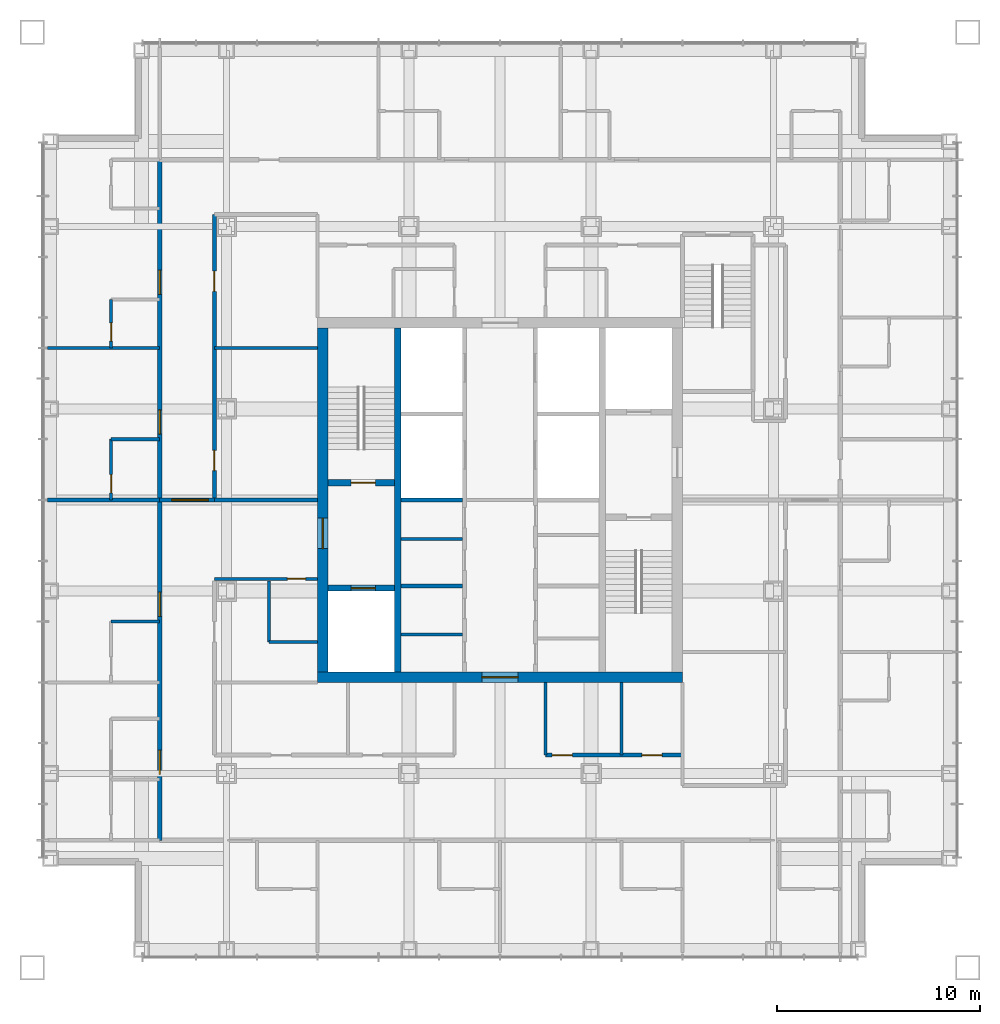
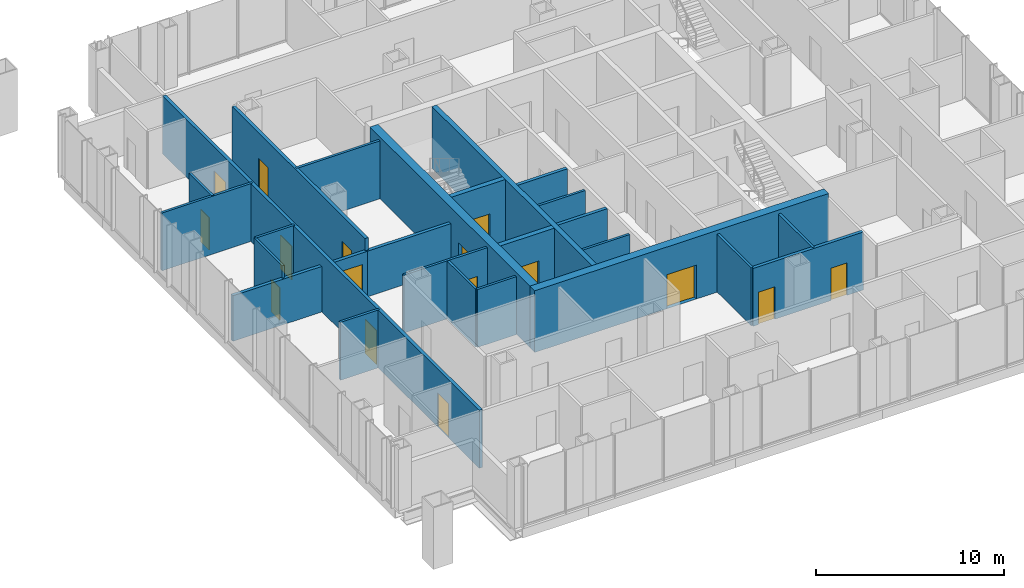
# One storey, part 7 of 11: 26 walls, 16 doors, 16 openings.
"""IFC4 building model written with IfcOpenShell, lengths in metres."""

from ifc_helpers import new_model, si_unit, direction, frame, frame_2d, origin, place, context, subcontext, project, spatial, rectangle, extrude, material, layer, layer_set, type_object, element, fill, save


model = new_model("IFC4")

# Units and contexts
model_context = context("Model", 3, precision=1e-05, world=origin(), true_north=direction((0.0, 1.0)))
body_context = subcontext(model_context, "Body", "Model", "MODEL_VIEW")
ifc_project = project(units=[si_unit("LENGTHUNIT", "METRE"), si_unit("AREAUNIT", "SQUARE_METRE"), si_unit("VOLUMEUNIT", "CUBIC_METRE"), si_unit("PLANEANGLEUNIT", "RADIAN"), si_unit("MASSUNIT", "GRAM", prefix="KILO")], contexts=[model_context])

# Site, building, storey
site_placement = place(None, origin())
site = spatial("IfcSite", under=ifc_project, at=site_placement, CompositionType="ELEMENT")
building_placement = place(site_placement, origin())
building = spatial("IfcBuilding", under=site, at=building_placement, Name="Malebo Sky Hospital", CompositionType="ELEMENT")
storey_placement = place(building_placement, frame((0.0, 0.0, 213.0)))
storey = spatial("IfcBuildingStorey", under=building, at=storey_placement, Name="L51", CompositionType="ELEMENT", Elevation=213.0)

# Walls
ifc_material_1 = material(Name="Concrete C80/95", Category="concrete")
ifc_layer_1 = layer(ifc_material_1, 0.199951171875)
ifc_layer_set_1 = layer_set([ifc_layer_1], Name="CORE INNER WALL 200")
wall_type_1 = type_object("IfcWallType", Name="CORE INNER WALL 200", PredefinedType="SHEAR", material=ifc_layer_set_1)
for number, where, z_axis, x_axis, name in (
    (1, (55.10009765625, 57.75, 0.0), (0.0, 0.0, 1.0), (1.0, 0.0, 0.0), "Core wall SW0 L51"),
    (2, (55.10009765625, 62.0, 0.0), (0.0, 0.0, 1.0), (1.0, 0.0, 0.0), "Core wall SW1 L51"),
):
    element("IfcWall", number, at=place(storey_placement, frame(where, z_axis=z_axis, x_axis=x_axis)), inside=storey, type_object=wall_type_1, Name=name, PredefinedType="SHEAR", context=body_context, shape_type="SweptSolid", body=[
        extrude(rectangle(XDim=3.0498046875, YDim=0.199951171875, at=frame_2d((1.52490234375, 0.0))), origin(), (0.0, 0.0, 1.0), 4.0),
    ])
ifc_layer_2 = layer(ifc_material_1, 0.300048828125)
ifc_layer_set_2 = layer_set([ifc_layer_2], Name="CORE INNER WALL 300")
wall_type_2 = type_object("IfcWallType", Name="CORE INNER WALL 300", PredefinedType="SHEAR", material=ifc_layer_set_2)
wall_1_placement = place(storey_placement, frame((54.949951171875, 53.5, 0.0), z_axis=(0.0, 0.0, 1.0), x_axis=(0.0, 1.0, 0.0)))
element("IfcWall", 3, at=wall_1_placement, inside=storey, type_object=wall_type_2, Name="Core wall XW L51", PredefinedType="SHEAR", context=body_context, shape_type="SweptSolid", body=[
    extrude(rectangle(XDim=17.0, YDim=0.300048828125, at=frame_2d((8.5, 0.0))), origin(), (0.0, 0.0, 1.0), 4.0),
])

# Wall, opening, door
wall_2_placement = place(storey_placement, frame((51.5, 62.85009765625, 0.0), z_axis=(0.0, 0.0, 1.0), x_axis=(1.0, 0.0, 0.0)))
wall_2 = element("IfcWall", 4, at=wall_2_placement, inside=storey, type_object=wall_type_2, Name="Core wall W1 L51", PredefinedType="SHEAR", context=body_context, shape_type="SweptSolid", body=[
    extrude(rectangle(XDim=3.300048828125, YDim=0.300048828125, at=frame_2d((1.64990234375, 0.0))), origin(), (0.0, 0.0, 1.0), 4.0),
])
opening_1_placement = place(wall_2_placement, frame((1.14990234375, 0.0, 0.0)))
opening_1 = element("IfcOpeningElement", 5, at=opening_1_placement, cuts=wall_2, Name="Opening D08", PredefinedType="OPENING", context=body_context, shape_type="SweptSolid", body=[
    extrude(rectangle(XDim=1.199951171875, YDim=2.10009765625, at=frame_2d((0.60009765625, 1.050048828125))), frame((0.0, 0.159912109375, 0.0), z_axis=(0.0, -1.0, 0.0), x_axis=(1.0, 0.0, 0.0)), (0.0, 0.0, 1.0), 0.320068359375),
])
ifc_material_2 = material(Name="Hardwood-faced door leaf in steel frame", Category="steel")
door_type_1 = type_object("IfcDoorType", Name="STAIR DOOR 1200", OperationType="SINGLE_SWING_LEFT", PredefinedType="DOOR", material=ifc_material_2)
door_1_placement = place(opening_1_placement, origin())
door_1 = element("IfcDoor", 6, at=door_1_placement, inside=storey, type_object=door_type_1, Name="Stair S1 door", OperationType="SINGLE_SWING_RIGHT", OverallHeight=2.10009765625, OverallWidth=1.199951171875, PredefinedType="DOOR", context=body_context, shape_type="SweptSolid", body=[
    extrude(rectangle(XDim=1.199951171875, YDim=2.10009765625, at=frame_2d((0.60009765625, 1.050048828125))), frame((0.0, 0.02490234375, 0.0), z_axis=(0.0, -1.0, 0.0), x_axis=(1.0, 0.0, 0.0)), (0.0, 0.0, 1.0), 0.050048828125),
])
fill(opening_1, door_1)

wall_3_placement = place(storey_placement, frame((51.5, 57.64990234375, 0.0), z_axis=(0.0, 0.0, 1.0), x_axis=(1.0, 0.0, 0.0)))
wall_3 = element("IfcWall", 7, at=wall_3_placement, inside=storey, type_object=wall_type_2, Name="Core wall W2 L51", PredefinedType="SHEAR", context=body_context, shape_type="SweptSolid", body=[
    extrude(rectangle(XDim=3.300048828125, YDim=0.300048828125, at=frame_2d((1.64990234375, 0.0))), origin(), (0.0, 0.0, 1.0), 4.0),
])
opening_2_placement = place(wall_3_placement, frame((1.14990234375, 0.0, 0.0)))
opening_2 = element("IfcOpeningElement", 8, at=opening_2_placement, cuts=wall_3, Name="Opening LD2", PredefinedType="OPENING", context=body_context, shape_type="SweptSolid", body=[
    extrude(rectangle(XDim=1.199951171875, YDim=2.199951171875, at=frame_2d((0.60009765625, 1.10009765625))), frame((0.0, 0.159912109375, 0.0), z_axis=(0.0, -1.0, 0.0), x_axis=(1.0, 0.0, 0.0)), (0.0, 0.0, 1.0), 0.320068359375),
])
ifc_material_3 = material(Name="Stainless steel sliding landing door", Category="steel")
door_type_2 = type_object("IfcDoorType", Name="FIRE-FIGHTING LIFT LANDING DOOR 1200", OperationType="SLIDING_TO_LEFT", PredefinedType="DOOR", material=ifc_material_3)
door_2_placement = place(opening_2_placement, origin())
door_2 = element("IfcDoor", 9, at=door_2_placement, inside=storey, type_object=door_type_2, Name="Lift FL1 landing door", OperationType="SLIDING_TO_LEFT", OverallHeight=2.199951171875, OverallWidth=1.199951171875, PredefinedType="DOOR", context=body_context, shape_type="SweptSolid", body=[
    extrude(rectangle(XDim=1.199951171875, YDim=2.199951171875, at=frame_2d((0.60009765625, 1.10009765625))), frame((0.0, 0.02490234375, 0.0), z_axis=(0.0, -1.0, 0.0), x_axis=(1.0, 0.0, 0.0)), (0.0, 0.0, 1.0), 0.050048828125),
])
fill(opening_2, door_2)

ifc_layer_3 = layer(ifc_material_1, 0.5)
ifc_layer_set_3 = layer_set([ifc_layer_3], Name="CORE WALL 500")
wall_type_3 = type_object("IfcWallType", Name="CORE WALL 500", PredefinedType="SHEAR", material=ifc_layer_set_3)
wall_4_placement = place(storey_placement, frame((51.0, 53.25, 0.0), z_axis=(0.0, 0.0, 1.0), x_axis=(1.0, 0.0, 0.0)))
wall_4 = element("IfcWall", 10, at=wall_4_placement, inside=storey, type_object=wall_type_3, Name="Core wall S L51", PredefinedType="SHEAR", context=body_context, shape_type="SweptSolid", body=[
    extrude(rectangle(XDim=18.0, YDim=0.5, at=frame_2d((9.0, 0.0))), origin(), (0.0, 0.0, 1.0), 4.0),
])
opening_3_placement = place(wall_4_placement, frame((8.10009765625, 0.0, 0.0)))
opening_3 = element("IfcOpeningElement", 11, at=opening_3_placement, cuts=wall_4, Name="Opening D06", PredefinedType="OPENING", context=body_context, shape_type="SweptSolid", body=[
    extrude(rectangle(XDim=1.800048828125, YDim=2.199951171875, at=frame_2d((0.89990234375, 1.10009765625))), frame((0.0, 0.260009765625, 0.0), z_axis=(0.0, -1.0, 0.0), x_axis=(1.0, 0.0, 0.0)), (0.0, 0.0, 1.0), 0.52001953125),
])
door_type_3 = type_object("IfcDoorType", Name="LOBBY DOOR PAIR 1800", OperationType="DOUBLE_DOOR_SINGLE_SWING", PredefinedType="DOOR", material=ifc_material_2)
door_3_placement = place(opening_3_placement, origin())
door_3 = element("IfcDoor", 12, at=door_3_placement, inside=storey, type_object=door_type_3, Name="Service lobby door south", OperationType="DOUBLE_DOOR_SINGLE_SWING", OverallHeight=2.199951171875, OverallWidth=1.800048828125, PredefinedType="DOOR", context=body_context, shape_type="SweptSolid", body=[
    extrude(rectangle(XDim=1.800048828125, YDim=2.199951171875, at=frame_2d((0.89990234375, 1.10009765625))), frame((0.0, 0.02490234375, 0.0), z_axis=(0.0, -1.0, 0.0), x_axis=(1.0, 0.0, 0.0)), (0.0, 0.0, 1.0), 0.050048828125),
])
fill(opening_3, door_3)

wall_5_placement = place(storey_placement, frame((51.25, 53.5, 0.0), z_axis=(0.0, 0.0, 1.0), x_axis=(0.0, 1.0, 0.0)))
wall_5 = element("IfcWall", 13, at=wall_5_placement, inside=storey, type_object=wall_type_3, Name="Core wall W L51", PredefinedType="SHEAR", context=body_context, shape_type="SweptSolid", body=[
    extrude(rectangle(XDim=17.0, YDim=0.5, at=frame_2d((8.5, 0.0))), origin(), (0.0, 0.0, 1.0), 4.0),
])
opening_4_placement = place(wall_5_placement, frame((6.10009765625, 0.0, 0.0)))
opening_4 = element("IfcOpeningElement", 14, at=opening_4_placement, cuts=wall_5, Name="Opening D07", PredefinedType="OPENING", context=body_context, shape_type="SweptSolid", body=[
    extrude(rectangle(XDim=1.5, YDim=2.199951171875, at=frame_2d((0.75, 1.10009765625))), frame((0.0, 0.260009765625, 0.0), z_axis=(0.0, -1.0, 0.0), x_axis=(1.0, 0.0, 0.0)), (0.0, 0.0, 1.0), 0.52001953125),
])
door_type_4 = type_object("IfcDoorType", Name="FIRE-FIGHTING LOBBY DOOR PAIR 1500", OperationType="DOUBLE_DOOR_SINGLE_SWING", PredefinedType="DOOR", material=ifc_material_2)
door_4_placement = place(opening_4_placement, origin())
door_4 = element("IfcDoor", 15, at=door_4_placement, inside=storey, type_object=door_type_4, Name="Fire-fighting lobby door west", OperationType="DOUBLE_DOOR_SINGLE_SWING", OverallHeight=2.199951171875, OverallWidth=1.5, PredefinedType="DOOR", context=body_context, shape_type="SweptSolid", body=[
    extrude(rectangle(XDim=1.5, YDim=2.199951171875, at=frame_2d((0.75, 1.10009765625))), frame((0.0, 0.02490234375, 0.0), z_axis=(0.0, -1.0, 0.0), x_axis=(1.0, 0.0, 0.0)), (0.0, 0.0, 1.0), 0.050048828125),
])
fill(opening_4, door_4)

# Wall, openings, doors
ifc_material_4 = material(Name="Gypsum board on steel studs", Category="steel")
ifc_layer_4 = layer(ifc_material_4, 0.199951171875)
ifc_layer_set_4 = layer_set([ifc_layer_4], Name="CORRIDOR WALL 200")
wall_type_4 = type_object("IfcWallType", Name="CORRIDOR WALL 200", PredefinedType="PARTITIONING", material=ifc_layer_set_4)
wall_6_placement = place(storey_placement, frame((43.199951171875, 45.199951171875, 0.0), z_axis=(0.0, 0.0, 1.0), x_axis=(0.0, 1.0, 0.0)))
wall_6 = element("IfcWall", 16, at=wall_6_placement, inside=storey, type_object=wall_type_4, Name="Corridor Wall 200 WCO", PredefinedType="PARTITIONING", context=body_context, shape_type="SweptSolid", body=[
    extrude(rectangle(XDim=33.60009765625, YDim=0.199951171875, at=frame_2d((16.800048828125, 0.0))), origin(), (0.0, 0.0, 1.0), 3.75),
])
opening_5_placement = place(wall_6_placement, frame((3.25, 0.0, 0.0)))
opening_5 = element("IfcOpeningElement", 17, at=opening_5_placement, cuts=wall_6, Name="Opening D18", PredefinedType="OPENING", context=body_context, shape_type="SweptSolid", body=[
    extrude(rectangle(XDim=1.199951171875, YDim=2.199951171875, at=frame_2d((0.60009765625, 1.10009765625))), frame((0.0, 0.10986328125, 0.0), z_axis=(0.0, -1.0, 0.0), x_axis=(1.0, 0.0, 0.0)), (0.0, 0.0, 1.0), 0.219970703125),
])
opening_6_placement = place(wall_6_placement, frame((11.050048828125, 0.0, 0.0)))
opening_6 = element("IfcOpeningElement", 18, at=opening_6_placement, cuts=wall_6, Name="Opening D01", PredefinedType="OPENING", context=body_context, shape_type="SweptSolid", body=[
    extrude(rectangle(XDim=1.199951171875, YDim=2.199951171875, at=frame_2d((0.60009765625, 1.10009765625))), frame((0.0, 0.10986328125, 0.0), z_axis=(0.0, -1.0, 0.0), x_axis=(1.0, 0.0, 0.0)), (0.0, 0.0, 1.0), 0.219970703125),
])
opening_7_placement = place(wall_6_placement, frame((20.050048828125, 0.0, 0.0)))
opening_7 = element("IfcOpeningElement", 19, at=opening_7_placement, cuts=wall_6, Name="Opening D01", PredefinedType="OPENING", context=body_context, shape_type="SweptSolid", body=[
    extrude(rectangle(XDim=1.199951171875, YDim=2.199951171875, at=frame_2d((0.60009765625, 1.10009765625))), frame((0.0, 0.10986328125, 0.0), z_axis=(0.0, -1.0, 0.0), x_axis=(1.0, 0.0, 0.0)), (0.0, 0.0, 1.0), 0.219970703125),
])
opening_8_placement = place(wall_6_placement, frame((26.949951171875, 0.0, 0.0)))
opening_8 = element("IfcOpeningElement", 20, at=opening_8_placement, cuts=wall_6, Name="Opening D01", PredefinedType="OPENING", context=body_context, shape_type="SweptSolid", body=[
    extrude(rectangle(XDim=1.199951171875, YDim=2.199951171875, at=frame_2d((0.60009765625, 1.10009765625))), frame((0.0, 0.10986328125, 0.0), z_axis=(0.0, -1.0, 0.0), x_axis=(1.0, 0.0, 0.0)), (0.0, 0.0, 1.0), 0.219970703125),
])
door_type_5 = type_object("IfcDoorType", Name="ANTEROOM DOOR 1200", OperationType="SINGLE_SWING_LEFT", PredefinedType="DOOR", material=ifc_material_2)
door_5_placement = place(opening_5_placement, origin())
door_5 = element("IfcDoor", 21, at=door_5_placement, inside=storey, type_object=door_type_5, Name="Anteroom door", OperationType="SINGLE_SWING_LEFT", OverallHeight=2.199951171875, OverallWidth=1.199951171875, PredefinedType="DOOR", context=body_context, shape_type="SweptSolid", body=[
    extrude(rectangle(XDim=1.199951171875, YDim=2.199951171875, at=frame_2d((0.60009765625, 1.10009765625))), frame((0.0, 0.02490234375, 0.0), z_axis=(0.0, -1.0, 0.0), x_axis=(1.0, 0.0, 0.0)), (0.0, 0.0, 1.0), 0.050048828125),
])
fill(opening_5, door_5)
door_type_6 = type_object("IfcDoorType", Name="BED DOOR 1200", OperationType="SINGLE_SWING_LEFT", PredefinedType="DOOR", material=ifc_material_2)
door_6_placement = place(opening_6_placement, origin())
door_6 = element("IfcDoor", 22, at=door_6_placement, inside=storey, type_object=door_type_6, Name="Two-bed room door", OperationType="SINGLE_SWING_LEFT", OverallHeight=2.199951171875, OverallWidth=1.199951171875, PredefinedType="DOOR", context=body_context, shape_type="SweptSolid", body=[
    extrude(rectangle(XDim=1.199951171875, YDim=2.199951171875, at=frame_2d((0.60009765625, 1.10009765625))), frame((0.0, 0.02490234375, 0.0), z_axis=(0.0, -1.0, 0.0), x_axis=(1.0, 0.0, 0.0)), (0.0, 0.0, 1.0), 0.050048828125),
])
fill(opening_6, door_6)
door_7_placement = place(opening_7_placement, origin())
door_7 = element("IfcDoor", 23, at=door_7_placement, inside=storey, type_object=door_type_6, Name="Two-bed room door", OperationType="SINGLE_SWING_LEFT", OverallHeight=2.199951171875, OverallWidth=1.199951171875, PredefinedType="DOOR", context=body_context, shape_type="SweptSolid", body=[
    extrude(rectangle(XDim=1.199951171875, YDim=2.199951171875, at=frame_2d((0.60009765625, 1.10009765625))), frame((0.0, 0.02490234375, 0.0), z_axis=(0.0, -1.0, 0.0), x_axis=(1.0, 0.0, 0.0)), (0.0, 0.0, 1.0), 0.050048828125),
])
fill(opening_7, door_7)
door_8_placement = place(opening_8_placement, origin())
door_8 = element("IfcDoor", 24, at=door_8_placement, inside=storey, type_object=door_type_6, Name="Four-bed bay door", OperationType="SINGLE_SWING_LEFT", OverallHeight=2.199951171875, OverallWidth=1.199951171875, PredefinedType="DOOR", context=body_context, shape_type="SweptSolid", body=[
    extrude(rectangle(XDim=1.199951171875, YDim=2.199951171875, at=frame_2d((0.60009765625, 1.10009765625))), frame((0.0, 0.02490234375, 0.0), z_axis=(0.0, -1.0, 0.0), x_axis=(1.0, 0.0, 0.0)), (0.0, 0.0, 1.0), 0.050048828125),
])
fill(opening_8, door_8)

wall_7_placement = place(storey_placement, frame((45.89990234375, 62.0, 0.0), z_axis=(0.0, 0.0, 1.0), x_axis=(0.0, 1.0, 0.0)))
wall_7 = element("IfcWall", 25, at=wall_7_placement, inside=storey, type_object=wall_type_4, Name="Corridor Wall 200 WCI2", PredefinedType="PARTITIONING", context=body_context, shape_type="SweptSolid", body=[
    extrude(rectangle(XDim=14.10009765625, YDim=0.199951171875, at=frame_2d((7.050048828125, 0.0))), origin(), (0.0, 0.0, 1.0), 3.75),
])
opening_9_placement = place(wall_7_placement, frame((1.449951171875, 0.0, 0.0)))
opening_9 = element("IfcOpeningElement", 26, at=opening_9_placement, cuts=wall_7, Name="Opening D03", PredefinedType="OPENING", context=body_context, shape_type="SweptSolid", body=[
    extrude(rectangle(XDim=1.0, YDim=2.10009765625, at=frame_2d((0.5, 1.050048828125))), frame((0.0, 0.10986328125, 0.0), z_axis=(0.0, -1.0, 0.0), x_axis=(1.0, 0.0, 0.0)), (0.0, 0.0, 1.0), 0.219970703125),
])
opening_10_placement = place(wall_7_placement, frame((10.300048828125, 0.0, 0.0)))
opening_10 = element("IfcOpeningElement", 27, at=opening_10_placement, cuts=wall_7, Name="Opening D03", PredefinedType="OPENING", context=body_context, shape_type="SweptSolid", body=[
    extrude(rectangle(XDim=1.0, YDim=2.10009765625, at=frame_2d((0.5, 1.050048828125))), frame((0.0, 0.10986328125, 0.0), z_axis=(0.0, -1.0, 0.0), x_axis=(1.0, 0.0, 0.0)), (0.0, 0.0, 1.0), 0.219970703125),
])
door_type_7 = type_object("IfcDoorType", Name="ROOM DOOR 1000", OperationType="SINGLE_SWING_LEFT", PredefinedType="DOOR", material=ifc_material_2)
door_9_placement = place(opening_9_placement, origin())
door_9 = element("IfcDoor", 28, at=door_9_placement, inside=storey, type_object=door_type_7, Name="Nurse station door", OperationType="SINGLE_SWING_LEFT", OverallHeight=2.10009765625, OverallWidth=1.0, PredefinedType="DOOR", context=body_context, shape_type="SweptSolid", body=[
    extrude(rectangle(XDim=1.0, YDim=2.10009765625, at=frame_2d((0.5, 1.050048828125))), frame((0.0, 0.02490234375, 0.0), z_axis=(0.0, -1.0, 0.0), x_axis=(1.0, 0.0, 0.0)), (0.0, 0.0, 1.0), 0.050048828125),
])
fill(opening_9, door_9)
door_10_placement = place(opening_10_placement, origin())
door_10 = element("IfcDoor", 29, at=door_10_placement, inside=storey, type_object=door_type_7, Name="Milk kitchen door", OperationType="SINGLE_SWING_RIGHT", OverallHeight=2.10009765625, OverallWidth=1.0, PredefinedType="DOOR", context=body_context, shape_type="SweptSolid", body=[
    extrude(rectangle(XDim=1.0, YDim=2.10009765625, at=frame_2d((0.5, 1.050048828125))), frame((0.0, 0.02490234375, 0.0), z_axis=(0.0, -1.0, 0.0), x_axis=(1.0, 0.0, 0.0)), (0.0, 0.0, 1.0), 0.050048828125),
])
fill(opening_10, door_10)

wall_8_placement = place(storey_placement, frame((69.0, 49.39990234375, 0.0), z_axis=(0.0, 0.0, 1.0), x_axis=(-1.0, 0.0, 0.0)))
wall_8 = element("IfcWall", 30, at=wall_8_placement, inside=storey, type_object=wall_type_4, Name="Corridor Wall 200 SCI1", PredefinedType="PARTITIONING", context=body_context, shape_type="SweptSolid", body=[
    extrude(rectangle(XDim=6.75, YDim=0.199951171875, at=frame_2d((3.375, 0.0))), origin(), (0.0, 0.0, 1.0), 3.75),
])
opening_11_placement = place(wall_8_placement, frame((1.0, 0.0, 0.0)))
opening_11 = element("IfcOpeningElement", 31, at=opening_11_placement, cuts=wall_8, Name="Opening D03", PredefinedType="OPENING", context=body_context, shape_type="SweptSolid", body=[
    extrude(rectangle(XDim=1.0, YDim=2.10009765625, at=frame_2d((0.5, 1.050048828125))), frame((0.0, 0.10986328125, 0.0), z_axis=(0.0, -1.0, 0.0), x_axis=(1.0, 0.0, 0.0)), (0.0, 0.0, 1.0), 0.219970703125),
])
opening_12_placement = place(wall_8_placement, frame((5.425048828125, 0.0, 0.0)))
opening_12 = element("IfcOpeningElement", 32, at=opening_12_placement, cuts=wall_8, Name="Opening D03", PredefinedType="OPENING", context=body_context, shape_type="SweptSolid", body=[
    extrude(rectangle(XDim=1.0, YDim=2.10009765625, at=frame_2d((0.5, 1.050048828125))), frame((0.0, 0.10986328125, 0.0), z_axis=(0.0, -1.0, 0.0), x_axis=(1.0, 0.0, 0.0)), (0.0, 0.0, 1.0), 0.219970703125),
])
door_11_placement = place(opening_11_placement, origin())
door_11 = element("IfcDoor", 33, at=door_11_placement, inside=storey, type_object=door_type_7, Name="Linen store door", OperationType="SINGLE_SWING_LEFT", OverallHeight=2.10009765625, OverallWidth=1.0, PredefinedType="DOOR", context=body_context, shape_type="SweptSolid", body=[
    extrude(rectangle(XDim=1.0, YDim=2.10009765625, at=frame_2d((0.5, 1.050048828125))), frame((0.0, 0.02490234375, 0.0), z_axis=(0.0, -1.0, 0.0), x_axis=(1.0, 0.0, 0.0)), (0.0, 0.0, 1.0), 0.050048828125),
])
fill(opening_11, door_11)
door_12_placement = place(opening_12_placement, origin())
door_12 = element("IfcDoor", 34, at=door_12_placement, inside=storey, type_object=door_type_7, Name="Equipment store door", OperationType="SINGLE_SWING_RIGHT", OverallHeight=2.10009765625, OverallWidth=1.0, PredefinedType="DOOR", context=body_context, shape_type="SweptSolid", body=[
    extrude(rectangle(XDim=1.0, YDim=2.10009765625, at=frame_2d((0.5, 1.050048828125))), frame((0.0, 0.02490234375, 0.0), z_axis=(0.0, -1.0, 0.0), x_axis=(1.0, 0.0, 0.0)), (0.0, 0.0, 1.0), 0.050048828125),
])
fill(opening_12, door_12)

# Walls
ifc_layer_5 = layer(ifc_material_4, 0.14990234375)
ifc_layer_set_5 = layer_set([ifc_layer_5], Name="PARTITION 150")
wall_type_5 = type_object("IfcWallType", Name="PARTITION 150", PredefinedType="PARTITIONING", material=ifc_layer_set_5)
wall_9_placement = place(storey_placement, frame((43.199951171875, 69.5, 0.0), z_axis=(0.0, 0.0, 1.0), x_axis=(-1.0, 0.0, 0.0)))
element("IfcWall", 35, at=wall_9_placement, inside=storey, type_object=wall_type_5, Name="Partition 150 WP+7.5", PredefinedType="PARTITIONING", context=body_context, shape_type="SweptSolid", body=[
    extrude(rectangle(XDim=5.550048828125, YDim=0.14990234375, at=frame_2d((2.77490234375, 0.0))), origin(), (0.0, 0.0, 1.0), 3.75),
])
wall_10_placement = place(storey_placement, frame((43.199951171875, 56.0, 0.0), z_axis=(0.0, 0.0, 1.0), x_axis=(-1.0, 0.0, 0.0)))
element("IfcWall", 36, at=wall_10_placement, inside=storey, type_object=wall_type_5, Name="Partition 150 WE1S", PredefinedType="PARTITIONING", context=body_context, shape_type="SweptSolid", body=[
    extrude(rectangle(XDim=2.39990234375, YDim=0.14990234375, at=frame_2d((1.199951171875, 0.0))), origin(), (0.0, 0.0, 1.0), 3.75),
])

# Wall, opening, door
wall_11_placement = place(storey_placement, frame((40.800048828125, 62.0, 0.0), z_axis=(0.0, 0.0, 1.0), x_axis=(0.0, 1.0, 0.0)))
wall_11 = element("IfcWall", 37, at=wall_11_placement, inside=storey, type_object=wall_type_5, Name="Partition 150 WE2F", PredefinedType="PARTITIONING", context=body_context, shape_type="SweptSolid", body=[
    extrude(rectangle(XDim=3.0, YDim=0.14990234375, at=frame_2d((1.5, 0.0))), origin(), (0.0, 0.0, 1.0), 3.75),
])
opening_13_placement = place(wall_11_placement, frame((0.35009765625, 0.0, 0.0)))
opening_13 = element("IfcOpeningElement", 38, at=opening_13_placement, cuts=wall_11, Name="Opening D02", PredefinedType="OPENING", context=body_context, shape_type="SweptSolid", body=[
    extrude(rectangle(XDim=0.89990234375, YDim=2.10009765625, at=frame_2d((0.449951171875, 1.050048828125))), frame((0.0, 0.0849609375, 0.0), z_axis=(0.0, -1.0, 0.0), x_axis=(1.0, 0.0, 0.0)), (0.0, 0.0, 1.0), 0.169921875),
])
door_type_8 = type_object("IfcDoorType", Name="EN-SUITE DOOR 900", OperationType="SINGLE_SWING_LEFT", PredefinedType="DOOR", material=ifc_material_2)
door_13_placement = place(opening_13_placement, origin())
door_13 = element("IfcDoor", 39, at=door_13_placement, inside=storey, type_object=door_type_8, Name="En-suite door", OperationType="SINGLE_SWING_LEFT", OverallHeight=2.10009765625, OverallWidth=0.89990234375, PredefinedType="DOOR", context=body_context, shape_type="SweptSolid", body=[
    extrude(rectangle(XDim=0.89990234375, YDim=2.10009765625, at=frame_2d((0.449951171875, 1.050048828125))), frame((0.0, 0.02490234375, 0.0), z_axis=(0.0, -1.0, 0.0), x_axis=(1.0, 0.0, 0.0)), (0.0, 0.0, 1.0), 0.050048828125),
])
fill(opening_13, door_13)

# Wall
wall_12_placement = place(storey_placement, frame((43.199951171875, 65.0, 0.0), z_axis=(0.0, 0.0, 1.0), x_axis=(-1.0, 0.0, 0.0)))
element("IfcWall", 40, at=wall_12_placement, inside=storey, type_object=wall_type_5, Name="Partition 150 WE2S", PredefinedType="PARTITIONING", context=body_context, shape_type="SweptSolid", body=[
    extrude(rectangle(XDim=2.39990234375, YDim=0.14990234375, at=frame_2d((1.199951171875, 0.0))), origin(), (0.0, 0.0, 1.0), 3.75),
])

# Wall, opening, door
wall_13_placement = place(storey_placement, frame((40.800048828125, 69.5, 0.0), z_axis=(0.0, 0.0, 1.0), x_axis=(0.0, 1.0, 0.0)))
wall_13 = element("IfcWall", 41, at=wall_13_placement, inside=storey, type_object=wall_type_5, Name="Partition 150 WE3F", PredefinedType="PARTITIONING", context=body_context, shape_type="SweptSolid", body=[
    extrude(rectangle(XDim=2.39990234375, YDim=0.14990234375, at=frame_2d((1.199951171875, 0.0))), origin(), (0.0, 0.0, 1.0), 3.75),
])
opening_14_placement = place(wall_13_placement, frame((0.35009765625, 0.0, 0.0)))
opening_14 = element("IfcOpeningElement", 42, at=opening_14_placement, cuts=wall_13, Name="Opening D02", PredefinedType="OPENING", context=body_context, shape_type="SweptSolid", body=[
    extrude(rectangle(XDim=0.89990234375, YDim=2.10009765625, at=frame_2d((0.449951171875, 1.050048828125))), frame((0.0, 0.0849609375, 0.0), z_axis=(0.0, -1.0, 0.0), x_axis=(1.0, 0.0, 0.0)), (0.0, 0.0, 1.0), 0.169921875),
])
door_14_placement = place(opening_14_placement, origin())
door_14 = element("IfcDoor", 43, at=door_14_placement, inside=storey, type_object=door_type_8, Name="En-suite door", OperationType="SINGLE_SWING_LEFT", OverallHeight=2.10009765625, OverallWidth=0.89990234375, PredefinedType="DOOR", context=body_context, shape_type="SweptSolid", body=[
    extrude(rectangle(XDim=0.89990234375, YDim=2.10009765625, at=frame_2d((0.449951171875, 1.050048828125))), frame((0.0, 0.02490234375, 0.0), z_axis=(0.0, -1.0, 0.0), x_axis=(1.0, 0.0, 0.0)), (0.0, 0.0, 1.0), 0.050048828125),
])
fill(opening_14, door_14)

wall_14_placement = place(storey_placement, frame((51.0, 58.10009765625, 0.0), z_axis=(0.0, 0.0, 1.0), x_axis=(-1.0, 0.0, 0.0)))
wall_14 = element("IfcWall", 44, at=wall_14_placement, inside=storey, type_object=wall_type_5, Name="Partition 150 WSPA", PredefinedType="PARTITIONING", context=body_context, shape_type="SweptSolid", body=[
    extrude(rectangle(XDim=5.10009765625, YDim=0.14990234375, at=frame_2d((2.550048828125, 0.0))), origin(), (0.0, 0.0, 1.0), 3.75),
])
opening_15_placement = place(wall_14_placement, frame((0.60009765625, 0.0, 0.0)))
opening_15 = element("IfcOpeningElement", 45, at=opening_15_placement, cuts=wall_14, Name="Opening D04", PredefinedType="OPENING", context=body_context, shape_type="SweptSolid", body=[
    extrude(rectangle(XDim=0.89990234375, YDim=2.10009765625, at=frame_2d((0.449951171875, 1.050048828125))), frame((0.0, 0.0849609375, 0.0), z_axis=(0.0, -1.0, 0.0), x_axis=(1.0, 0.0, 0.0)), (0.0, 0.0, 1.0), 0.169921875),
])
door_type_9 = type_object("IfcDoorType", Name="ROOM DOOR 900", OperationType="SINGLE_SWING_LEFT", PredefinedType="DOOR", material=ifc_material_2)
door_15_placement = place(opening_15_placement, origin())
door_15 = element("IfcDoor", 46, at=door_15_placement, inside=storey, type_object=door_type_9, Name="Cleaner's room door", OperationType="SINGLE_SWING_LEFT", OverallHeight=2.10009765625, OverallWidth=0.89990234375, PredefinedType="DOOR", context=body_context, shape_type="SweptSolid", body=[
    extrude(rectangle(XDim=0.89990234375, YDim=2.10009765625, at=frame_2d((0.449951171875, 1.050048828125))), frame((0.0, 0.02490234375, 0.0), z_axis=(0.0, -1.0, 0.0), x_axis=(1.0, 0.0, 0.0)), (0.0, 0.0, 1.0), 0.050048828125),
])
fill(opening_15, door_15)

# Walls
wall_15_placement = place(storey_placement, frame((51.0, 69.5, 0.0), z_axis=(0.0, 0.0, 1.0), x_axis=(-1.0, 0.0, 0.0)))
element("IfcWall", 47, at=wall_15_placement, inside=storey, type_object=wall_type_5, Name="Partition 150 WSP+7.5", PredefinedType="PARTITIONING", context=body_context, shape_type="SweptSolid", body=[
    extrude(rectangle(XDim=5.10009765625, YDim=0.14990234375, at=frame_2d((2.550048828125, 0.0))), origin(), (0.0, 0.0, 1.0), 3.75),
])
wall_16_placement = place(storey_placement, frame((48.60009765625, 55.0, 0.0), z_axis=(0.0, 0.0, 1.0), x_axis=(0.0, 1.0, 0.0)))
element("IfcWall", 48, at=wall_16_placement, inside=storey, type_object=wall_type_5, Name="Partition 150 WSX0", PredefinedType="PARTITIONING", context=body_context, shape_type="SweptSolid", body=[
    extrude(rectangle(XDim=3.0, YDim=0.14990234375, at=frame_2d((1.5, 0.0))), origin(), (0.0, 0.0, 1.0), 3.75),
])
wall_17_placement = place(storey_placement, frame((51.0, 55.0, 0.0), z_axis=(0.0, 0.0, 1.0), x_axis=(-1.0, 0.0, 0.0)))
element("IfcWall", 49, at=wall_17_placement, inside=storey, type_object=wall_type_5, Name="Partition 150 WSY0", PredefinedType="PARTITIONING", context=body_context, shape_type="SweptSolid", body=[
    extrude(rectangle(XDim=2.39990234375, YDim=0.14990234375, at=frame_2d((1.199951171875, 0.0))), origin(), (0.0, 0.0, 1.0), 3.75),
])
for number, where, z_axis, x_axis, name in (
    (50, (62.25, 53.0, 0.0), (0.0, 0.0, 1.0), (0.0, -1.0, 0.0), "Partition 150 SSPA"),
    (51, (66.0, 53.0, 0.0), (0.0, 0.0, 1.0), (0.0, -1.0, 0.0), "Partition 150 SSP-6.0"),
):
    element("IfcWall", number, at=place(storey_placement, frame(where, z_axis=z_axis, x_axis=x_axis)), inside=storey, type_object=wall_type_5, Name=name, PredefinedType="PARTITIONING", context=body_context, shape_type="SweptSolid", body=[
        extrude(rectangle(XDim=3.60009765625, YDim=0.14990234375, at=frame_2d((1.800048828125, 0.0))), origin(), (0.0, 0.0, 1.0), 3.75),
    ])
for number, where, z_axis, x_axis, name in (
    (52, (55.10009765625, 55.366943359375, 0.0), (0.0, 0.0, 1.0), (1.0, 0.0, 0.0), "Partition 150 SHW1"),
    (53, (55.10009765625, 60.077880859375, 0.0), (0.0, 0.0, 1.0), (1.0, 0.0, 0.0), "Partition 150 SHW2"),
):
    element("IfcWall", number, at=place(storey_placement, frame(where, z_axis=z_axis, x_axis=x_axis)), inside=storey, type_object=wall_type_5, Name=name, PredefinedType="PARTITIONING", context=body_context, shape_type="SweptSolid", body=[
        extrude(rectangle(XDim=3.0498046875, YDim=0.14990234375, at=frame_2d((1.52490234375, 0.0))), origin(), (0.0, 0.0, 1.0), 3.75),
    ])
ifc_material_5 = material(Name="Concrete blockwork", Category="masonry")
ifc_layer_6 = layer(ifc_material_5, 0.199951171875)
ifc_layer_set_6 = layer_set([ifc_layer_6], Name="SMOKE BARRIER WALL 200")
wall_type_6 = type_object("IfcWallType", Name="SMOKE BARRIER WALL 200", PredefinedType="SOLIDWALL", material=ifc_layer_set_6)
wall_18_placement = place(storey_placement, frame((43.199951171875, 62.0, 0.0), z_axis=(0.0, 0.0, 1.0), x_axis=(-1.0, 0.0, 0.0)))
element("IfcWall", 54, at=wall_18_placement, inside=storey, type_object=wall_type_6, Name="Smoke Barrier Wall 200 WP+0.0", PredefinedType="SOLIDWALL", context=body_context, shape_type="SweptSolid", body=[
    extrude(rectangle(XDim=5.550048828125, YDim=0.199951171875, at=frame_2d((2.77490234375, 0.0))), origin(), (0.0, 0.0, 1.0), 2.949951171875),
])
wall_19_placement = place(storey_placement, frame((51.0, 62.0, 0.0), z_axis=(0.0, 0.0, 1.0), x_axis=(-1.0, 0.0, 0.0)))
element("IfcWall", 55, at=wall_19_placement, inside=storey, type_object=wall_type_6, Name="Smoke Barrier Wall 200 WSPB", PredefinedType="SOLIDWALL", context=body_context, shape_type="SweptSolid", body=[
    extrude(rectangle(XDim=5.10009765625, YDim=0.199951171875, at=frame_2d((2.550048828125, 0.0))), origin(), (0.0, 0.0, 1.0), 2.949951171875),
])

# Wall, opening, door
wall_20_placement = place(storey_placement, frame((45.89990234375, 62.0, 0.0), z_axis=(0.0, 0.0, 1.0), x_axis=(-1.0, 0.0, 0.0)))
wall_20 = element("IfcWall", 56, at=wall_20_placement, inside=storey, type_object=wall_type_6, Name="Smoke Barrier Wall 200 WSB", PredefinedType="SOLIDWALL", context=body_context, shape_type="SweptSolid", body=[
    extrude(rectangle(XDim=2.699951171875, YDim=0.199951171875, at=frame_2d((1.35009765625, 0.0))), origin(), (0.0, 0.0, 1.0), 2.949951171875),
])
opening_16_placement = place(wall_20_placement, frame((0.300048828125, 0.0, 0.0)))
opening_16 = element("IfcOpeningElement", 57, at=opening_16_placement, cuts=wall_20, Name="Opening D05", PredefinedType="OPENING", context=body_context, shape_type="SweptSolid", body=[
    extrude(rectangle(XDim=1.800048828125, YDim=2.199951171875, at=frame_2d((0.89990234375, 1.10009765625))), frame((0.0, 0.10986328125, 0.0), z_axis=(0.0, -1.0, 0.0), x_axis=(1.0, 0.0, 0.0)), (0.0, 0.0, 1.0), 0.219970703125),
])
door_type_10 = type_object("IfcDoorType", Name="SMOKE DOOR PAIR 1800", OperationType="DOUBLE_DOOR_DOUBLE_SWING", PredefinedType="DOOR", material=ifc_material_2)
door_16_placement = place(opening_16_placement, origin())
door_16 = element("IfcDoor", 58, at=door_16_placement, inside=storey, type_object=door_type_10, Name="Smoke compartment door pair", OperationType="DOUBLE_DOOR_DOUBLE_SWING", OverallHeight=2.199951171875, OverallWidth=1.800048828125, PredefinedType="DOOR", context=body_context, shape_type="SweptSolid", body=[
    extrude(rectangle(XDim=1.800048828125, YDim=2.199951171875, at=frame_2d((0.89990234375, 1.10009765625))), frame((0.0, 0.02490234375, 0.0), z_axis=(0.0, -1.0, 0.0), x_axis=(1.0, 0.0, 0.0)), (0.0, 0.0, 1.0), 0.050048828125),
])
fill(opening_16, door_16)

save(model, "model.ifc")
